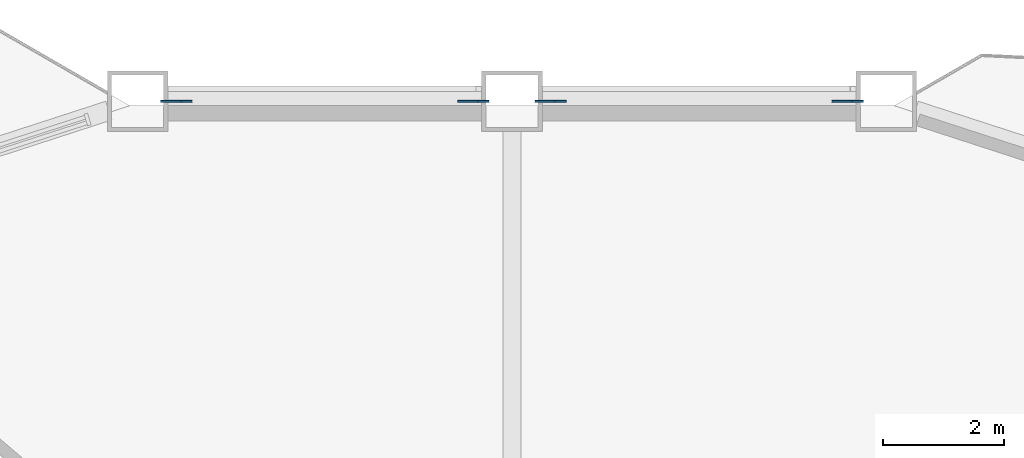
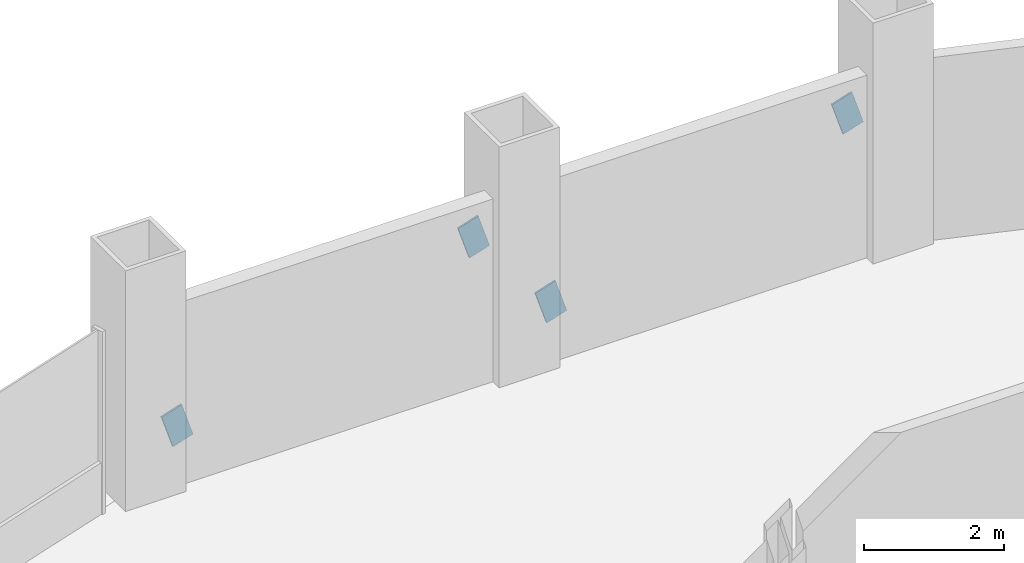
# One storey, part 16 of 21: 4 discrete accessories.
"""IFC4 building model written with IfcOpenShell, lengths in metres."""

from ifc_helpers import new_model, si_unit, direction, frame, origin, origin_2d, place, context, subcontext, project, spatial, rectangle, extrude, material, material_profile, profile_set, type_object, element, save


model = new_model("IFC4")

# Units and contexts
model_context = context("Model", 3, precision=1e-05, world=origin(), true_north=direction((0.0, 1.0)))
body_context = subcontext(model_context, "Body", "Model", "MODEL_VIEW")
ifc_project = project(units=[si_unit("LENGTHUNIT", "METRE"), si_unit("AREAUNIT", "SQUARE_METRE"), si_unit("VOLUMEUNIT", "CUBIC_METRE"), si_unit("PLANEANGLEUNIT", "RADIAN"), si_unit("MASSUNIT", "GRAM", prefix="KILO")], contexts=[model_context])

# Site, building, storey
site_placement = place(None, origin())
site = spatial("IfcSite", under=ifc_project, at=site_placement, CompositionType="ELEMENT")
building_placement = place(site_placement, origin())
building = spatial("IfcBuilding", under=site, at=building_placement, Name="Cormorant Prow Tower", CompositionType="ELEMENT")
storey_placement = place(building_placement, frame((0.0, 0.0, 80.39990234375)))
storey = spatial("IfcBuildingStorey", under=building, at=storey_placement, Name="L17", CompositionType="ELEMENT", Elevation=80.39990234375)

# Discrete accessories
ifc_material = material(Name="Structural steel ASTM A500 Gr C", Category="steel")
ifc_material_profile = material_profile(ifc_material, rectangle(XDim=0.031982421875, YDim=0.60791015625, at=origin_2d()), Name="Gusset plate 32x608")
ifc_profile_set = profile_set([ifc_material_profile], Name="Structural steel ASTM A500 Gr C")
discrete_accessory_type = type_object("IfcDiscreteAccessoryType", Name="Gusset plate 32x608", PredefinedType="BRACKET", material=ifc_profile_set)
for number, where, z_axis, x_axis, name in (
    (1, (0.80419921875, 32.233642578125, 0.859375), (-0.951708617761, 0.0, -0.307002779923), (0.0, -1.0, 0.0), "Gusset plate GP1 L17.N00.g0"),
    (2, (5.365478515625, 32.233642578125, 2.329833984375), (0.951912313317, 0.0, 0.306370605239), (0.0, 1.0, 0.0), "Gusset plate GP1 L17.N00.g1"),
    (3, (-5.365478515625, 32.233642578125, 0.859375), (-0.951708617761, 0.0, -0.307002779923), (0.0, -1.0, 0.0), "Gusset plate GP1 L17.N01.g0"),
    (4, (-0.80419921875, 32.233642578125, 2.329833984375), (0.951912313317, 0.0, 0.306370605239), (0.0, 1.0, 0.0), "Gusset plate GP1 L17.N01.g1"),
):
    element("IfcDiscreteAccessory", number, at=place(storey_placement, frame(where, z_axis=z_axis, x_axis=x_axis)), inside=storey, type_object=discrete_accessory_type, Name=name, PredefinedType="BRACKET", context=body_context, shape_type="SweptSolid", body=[
        extrude(rectangle(XDim=0.031982421875, YDim=0.60791015625, at=origin_2d()), origin(), (0.0, 0.0, 1.0), 0.349853515625),
    ])

save(model, "model.ifc")
